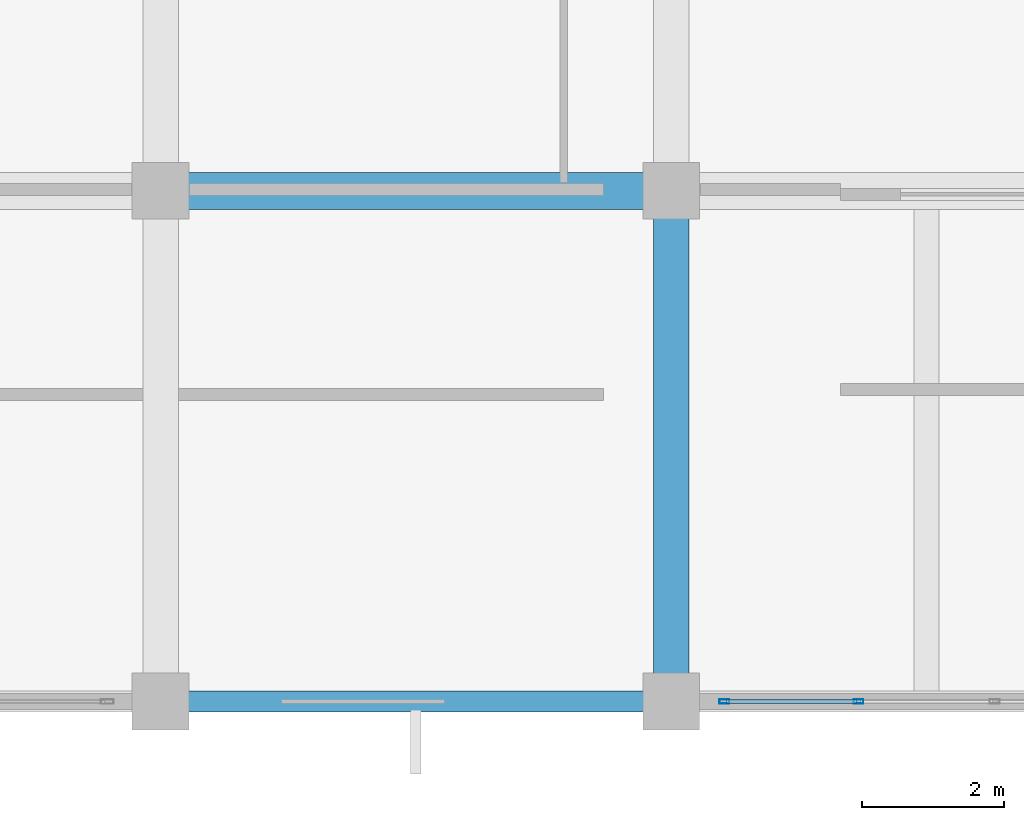
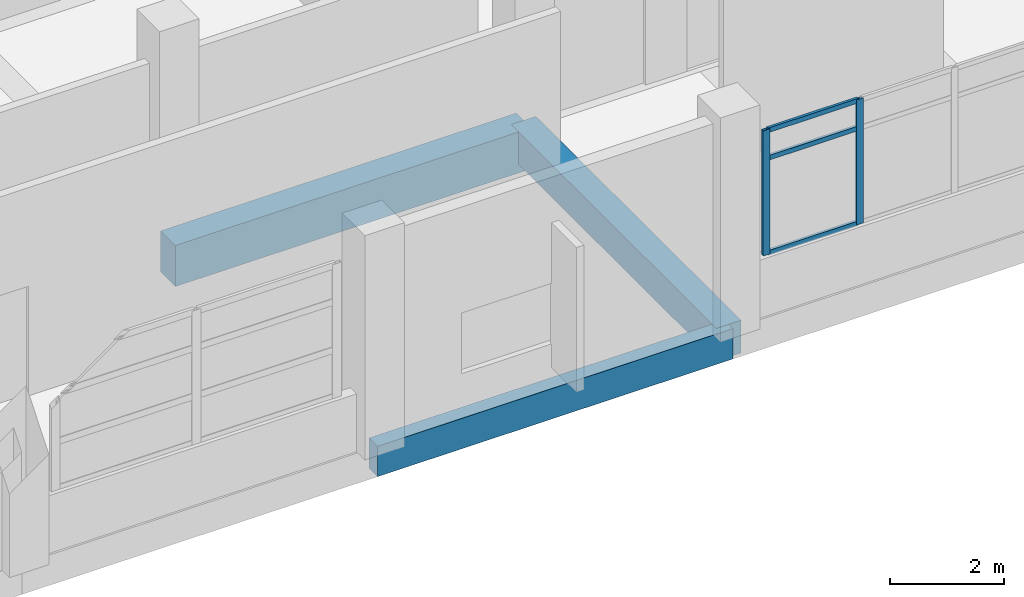
# One storey, part 34 of 140: 5 members, 3 beams, 1 element without a shape of its own.
"""IFC4 building model written with IfcOpenShell, lengths in metres."""

from ifc_helpers import new_model, si_unit, direction, frame, origin, origin_2d, place, context, subcontext, project, spatial, rectangle, hollow_rectangle, extrude, material, layer, layer_set, material_profile, profile_set, type_object, element, aggregate, save


model = new_model("IFC4")

# Units and contexts
model_context = context("Model", 3, precision=1e-05, world=origin(), true_north=direction((0.0, 1.0)))
body_context = subcontext(model_context, "Body", "Model", "MODEL_VIEW")
ifc_project = project(units=[si_unit("LENGTHUNIT", "METRE"), si_unit("AREAUNIT", "SQUARE_METRE"), si_unit("VOLUMEUNIT", "CUBIC_METRE"), si_unit("PLANEANGLEUNIT", "RADIAN"), si_unit("MASSUNIT", "GRAM", prefix="KILO")], contexts=[model_context])

# Site, building, storey
site_placement = place(None, origin())
site = spatial("IfcSite", under=ifc_project, at=site_placement, CompositionType="ELEMENT")
building_placement = place(site_placement, origin())
building = spatial("IfcBuilding", under=site, at=building_placement, Name="Seraya Terrace Polytechnic", CompositionType="ELEMENT")
storey_placement = place(building_placement, frame((0.0, 0.0, 9.60009765625)))
storey = spatial("IfcBuildingStorey", under=building, at=storey_placement, Name="L02", CompositionType="ELEMENT", Elevation=9.60009765625)

# Beams
ifc_material_1 = material(Name="Concrete C40/50", Category="concrete")
ifc_material_profile_1 = material_profile(ifc_material_1, rectangle(XDim=0.52001953125, YDim=0.8798828125, at=origin_2d()), Name="RC 520x880")
ifc_profile_set_1 = profile_set([ifc_material_profile_1], Name="Concrete C40/50")
beam_type_1 = type_object("IfcBeamType", Name="BM-04", PredefinedType="BEAM", material=ifc_profile_set_1)
beam_1_placement = place(storey_placement, frame((100.800048828125, 7.199951171875, -0.440185546875), z_axis=(1.0, 0.0, 0.0), x_axis=(0.0, 1.0, 0.0)))
element("IfcBeam", 1, at=beam_1_placement, inside=storey, type_object=beam_type_1, Name="Beam BM-04 L02 X (100.8..108.0, 7.2)", PredefinedType="BEAM", context=body_context, shape_type="SweptSolid", body=[
    extrude(rectangle(XDim=0.52001953125, YDim=0.8798828125, at=origin_2d()), origin(), (0.0, 0.0, 1.0), 7.199951171875),
])
ifc_material_profile_2 = material_profile(ifc_material_1, rectangle(XDim=0.5, YDim=0.699951171875, at=origin_2d()), Name="RC 500x700")
ifc_profile_set_2 = profile_set([ifc_material_profile_2], Name="Concrete C40/50")
beam_type_2 = type_object("IfcBeamType", Name="BM-07", PredefinedType="BEAM", material=ifc_profile_set_2)
beam_2_placement = place(storey_placement, frame((108.0, 0.0, -0.35009765625), z_axis=(0.0, 1.0, 0.0), x_axis=(-1.0, 0.0, 0.0)))
element("IfcBeam", 2, at=beam_2_placement, inside=storey, type_object=beam_type_2, Name="Beam BM-07 L02 Y (108.0, 0.0..7.2)", PredefinedType="BEAM", context=body_context, shape_type="SweptSolid", body=[
    extrude(rectangle(XDim=0.5, YDim=0.699951171875, at=origin_2d()), origin(), (0.0, 0.0, 1.0), 7.199951171875),
])

# Curtain wall, members
ifc_material_2 = material(Name="Anodised aluminium EN AW-6063 T6", Category="aluminium")
ifc_layer = layer(ifc_material_2, 0.179931640625, Name="CW-36")
ifc_layer_set = layer_set([ifc_layer], Name="Anodised aluminium EN AW-6063 T6")
curtain_wall_type = type_object("IfcCurtainWallType", Name="CW-36", PredefinedType="NOTDEFINED", material=ifc_layer_set)
curtain_wall_placement = place(storey_placement, origin())
curtain_wall = element("IfcCurtainWall", 3, at=curtain_wall_placement, inside=storey, type_object=curtain_wall_type, Name="Unitised curtain wall CW-36 (CW-L02-072)", PredefinedType="NOTDEFINED")
ifc_material_profile_3 = material_profile(ifc_material_2, hollow_rectangle(XDim=0.06005859375, YDim=0.139892578125, WallThickness=0.00341796875, at=origin_2d()), Name="RHS 140x60x3.5")
ifc_profile_set_3 = profile_set([ifc_material_profile_3], Name="Anodised aluminium EN AW-6063 T6")
member_type_1 = type_object("IfcMemberType", Name="CWM-03", PredefinedType="MULLION", material=ifc_profile_set_3)
member_1_placement = place(storey_placement, frame((110.639892578125, 0.0, 1.239990234375), z_axis=(0.0, 0.0, 1.0), x_axis=(0.0, -1.0, 0.0)))
member_1 = element("IfcMember", 4, at=member_1_placement, type_object=member_type_1, Name="CW-36 mullion 3", PredefinedType="MULLION", context=body_context, shape_type="SweptSolid", body=[
    extrude(hollow_rectangle(XDim=0.06005859375, YDim=0.139892578125, WallThickness=0.00341796875, at=origin_2d()), origin(), (0.0, 0.0, 1.0), 2.679931640625),
])
member_2_placement = place(storey_placement, frame((108.75, 0.0, 1.239990234375), z_axis=(0.0, 0.0, 1.0), x_axis=(0.0, -1.0, 0.0)))
member_2 = element("IfcMember", 5, at=member_2_placement, type_object=member_type_1, Name="CW-36 mullion 4", PredefinedType="MULLION", context=body_context, shape_type="SweptSolid", body=[
    extrude(hollow_rectangle(XDim=0.06005859375, YDim=0.139892578125, WallThickness=0.00341796875, at=origin_2d()), origin(), (0.0, 0.0, 1.0), 2.679931640625),
])
ifc_material_profile_4 = material_profile(ifc_material_2, hollow_rectangle(XDim=0.054931640625, YDim=0.10009765625, WallThickness=0.0029296875, at=origin_2d()), Name="RHS 100x55x3.0")
ifc_profile_set_4 = profile_set([ifc_material_profile_4], Name="Anodised aluminium EN AW-6063 T6")
member_type_2 = type_object("IfcMemberType", Name="CWT-03", PredefinedType="USERDEFINED", material=ifc_profile_set_4)
member_3_placement = place(storey_placement, frame((110.610107421875, 0.0, 1.267333984375), z_axis=(-1.0, 0.0, 0.0), x_axis=(0.0, -1.0, 0.0)))
member_3 = element("IfcMember", 6, at=member_3_placement, type_object=member_type_2, Name="CW-36 transom 3.1", ObjectType="TRANSOM", PredefinedType="USERDEFINED", context=body_context, shape_type="SweptSolid", body=[
    extrude(hollow_rectangle(XDim=0.054931640625, YDim=0.10009765625, WallThickness=0.0029296875, at=origin_2d()), origin(), (0.0, 0.0, 1.0), 1.830078125),
])
member_4_placement = place(storey_placement, frame((110.610107421875, 0.0, 3.2998046875), z_axis=(-1.0, 0.0, 0.0), x_axis=(0.0, -1.0, 0.0)))
member_4 = element("IfcMember", 7, at=member_4_placement, type_object=member_type_2, Name="CW-36 transom 3.2", ObjectType="TRANSOM", PredefinedType="USERDEFINED", context=body_context, shape_type="SweptSolid", body=[
    extrude(hollow_rectangle(XDim=0.054931640625, YDim=0.10009765625, WallThickness=0.0029296875, at=origin_2d()), origin(), (0.0, 0.0, 1.0), 1.830078125),
])
member_5_placement = place(storey_placement, frame((110.610107421875, 0.0, 3.892333984375), z_axis=(-1.0, 0.0, 0.0), x_axis=(0.0, -1.0, 0.0)))
member_5 = element("IfcMember", 8, at=member_5_placement, type_object=member_type_2, Name="CW-36 transom 3.3", ObjectType="TRANSOM", PredefinedType="USERDEFINED", context=body_context, shape_type="SweptSolid", body=[
    extrude(hollow_rectangle(XDim=0.054931640625, YDim=0.10009765625, WallThickness=0.0029296875, at=origin_2d()), origin(), (0.0, 0.0, 1.0), 1.830078125),
])
aggregate(curtain_wall, [member_1, member_2, member_3, member_4, member_5])

# Beam
ifc_material_profile_5 = material_profile(ifc_material_1, rectangle(XDim=0.300048828125, YDim=0.64990234375, at=origin_2d()), Name="RC 300x650")
ifc_profile_set_5 = profile_set([ifc_material_profile_5], Name="Concrete C40/50")
beam_type_3 = type_object("IfcBeamType", Name="SP-01", PredefinedType="SPANDREL", material=ifc_profile_set_5)
beam_3_placement = place(storey_placement, frame((100.800048828125, 0.0, -0.3251953125), z_axis=(1.0, 0.0, 0.0), x_axis=(0.0, 1.0, 0.0)))
element("IfcBeam", 9, at=beam_3_placement, inside=storey, type_object=beam_type_3, Name="Beam SP-01 L02 X (100.8..108.0, 0.0)", PredefinedType="SPANDREL", context=body_context, shape_type="SweptSolid", body=[
    extrude(rectangle(XDim=0.300048828125, YDim=0.64990234375, at=origin_2d()), origin(), (0.0, 0.0, 1.0), 7.199951171875),
])

save(model, "model.ifc")
